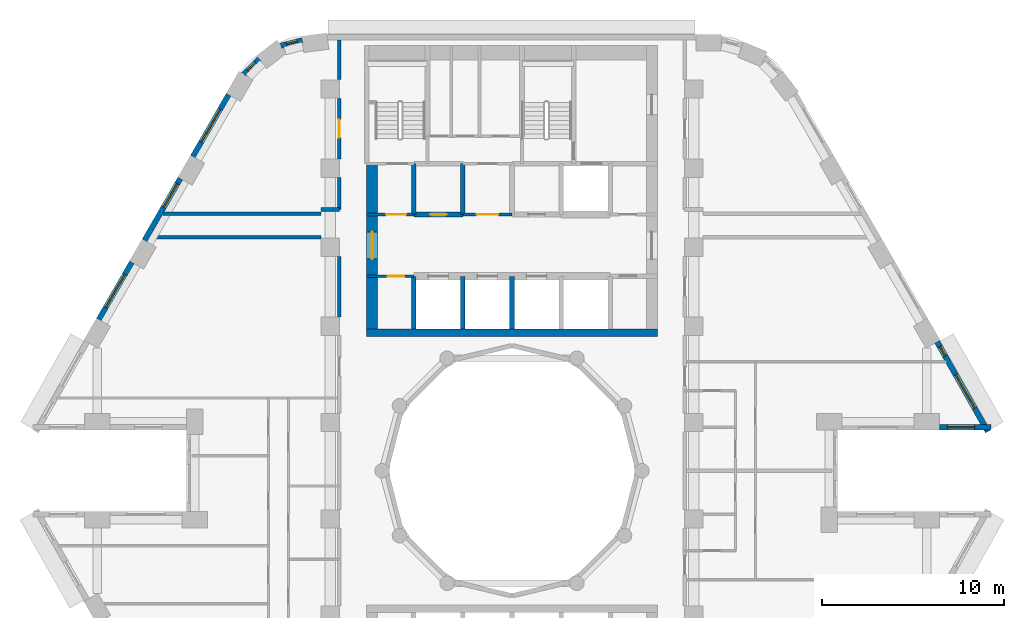
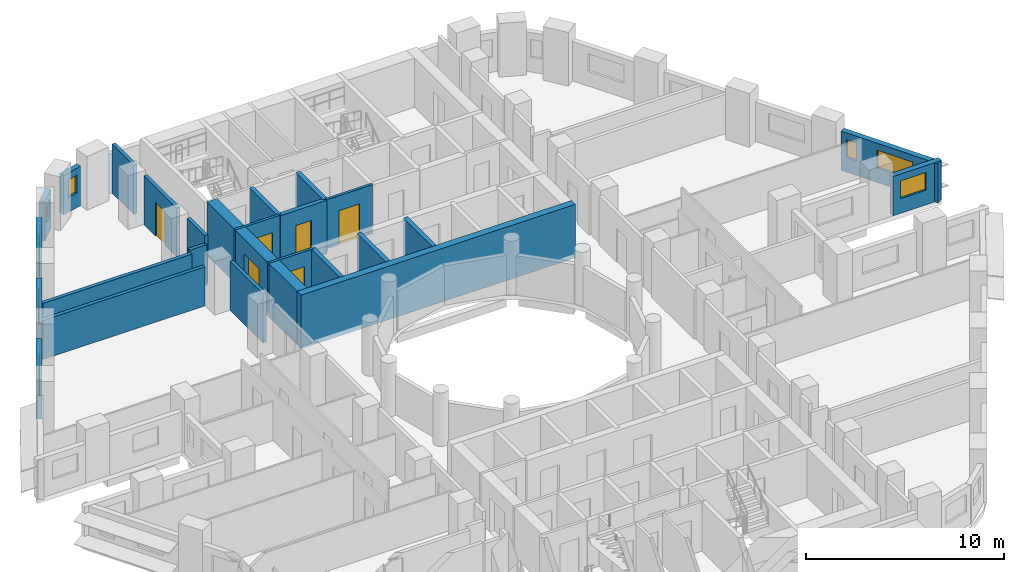
# One storey, part 7 of 12: 25 walls, 8 windows, 6 doors, 14 openings.
"""IFC4 building model written with IfcOpenShell, lengths in metres."""

import ifcopenshell
import ifcopenshell.guid

model = None  # the IFC model being written
_history = None  # IfcOwnerHistory: only IFC2X3 demands one
_inside = {}  # id of a spatial element -> (the spatial element, [elements in it])
_under = {}  # id of a project, library or spatial element -> (it, [spatial elements below it])
_declared = {}  # id of a project -> (the project, [libraries it declares])
_typed = {}  # id of a type object -> (the type object, [elements of that type])
_made_of = {}  # id of a material, layer set ... -> (it, [elements and type objects made of it])


def new_model(schema):
    """Start an empty IFC model of exactly this schema.

    Asked for "IFC4X3", IfcOpenShell would pick the latest addendum, in which some entities
    have other attributes; the version numbers below select the first issue.
    IFC2X3 requires an IfcOwnerHistory on every rooted entity: one is made here for all.
    """
    global model, _history
    if schema == "IFC4X3":
        model = ifcopenshell.file(schema_version=(4, 3, 0, 0))
    else:
        model = ifcopenshell.file(schema=schema)
    _inside.clear()
    _under.clear()
    _declared.clear()
    _typed.clear()
    _made_of.clear()
    _history = None
    if model.schema == "IFC2X3":
        org = make("IfcOrganization", Name="unknown")
        user = make(
            "IfcPersonAndOrganization",
            ThePerson=make("IfcPerson", FamilyName="unknown"),
            TheOrganization=org,
        )
        app = make(
            "IfcApplication",
            ApplicationDeveloper=org,
            Version="unknown",
            ApplicationFullName="unknown",
            ApplicationIdentifier="unknown",
        )
        _history = make(
            "IfcOwnerHistory",
            OwningUser=user,
            OwningApplication=app,
            ChangeAction="ADDED",
            CreationDate=0,
        )
    return model


def make(cls, **values):
    """One entity of the class cls with the attributes given. An attribute that is None is left unset."""
    return model.create_entity(
        cls, **{name: value for name, value in values.items() if value is not None}
    )


def rooted(cls, **values):
    """An entity with a GlobalId (a new one), such as an element, a storey or a relation."""
    return make(cls, GlobalId=ifcopenshell.guid.new(), OwnerHistory=_history, **values)


def si_unit(unit_type, name, prefix=None):
    """IfcSIUnit, for example si_unit("LENGTHUNIT", "METRE", prefix="MILLI")."""
    return make("IfcSIUnit", UnitType=unit_type, Prefix=prefix, Name=name)


def assignment(units):
    """IfcUnitAssignment: the units of a project."""
    return None if units is None else make("IfcUnitAssignment", Units=units)


def point(xyz):
    """IfcCartesianPoint."""
    return None if xyz is None else make("IfcCartesianPoint", Coordinates=xyz)


def direction(xyz):
    """IfcDirection."""
    return None if xyz is None else make("IfcDirection", DirectionRatios=xyz)


def frame(location, z_axis=None, x_axis=None):
    """IfcAxis2Placement3D, a coordinate frame: its origin and axes. An axis left out is left unset."""
    return make(
        "IfcAxis2Placement3D",
        Location=point(location),
        Axis=direction(z_axis),
        RefDirection=direction(x_axis),
    )


def frame_2d(location, x_axis=None):
    """IfcAxis2Placement2D, a coordinate frame in the plane: its origin and x axis."""
    return make(
        "IfcAxis2Placement2D", Location=point(location), RefDirection=direction(x_axis)
    )


def origin():
    """The frame at (0, 0, 0) with its axes left unset."""
    return frame((0.0, 0.0, 0.0))


def place(relative_to, where):
    """IfcLocalPlacement: puts the frame where relative to a parent placement (None: the world)."""
    return make(
        "IfcLocalPlacement", PlacementRelTo=relative_to, RelativePlacement=where
    )


def context(
    kind, dimensions, precision=None, world=None, true_north=None, identifier=None
):
    """IfcGeometricRepresentationContext, for example the 3D "Model" context."""
    return make(
        "IfcGeometricRepresentationContext",
        ContextIdentifier=identifier,
        ContextType=kind,
        CoordinateSpaceDimension=dimensions,
        Precision=precision,
        WorldCoordinateSystem=world,
        TrueNorth=true_north,
    )


def subcontext(parent, identifier, kind, view, scale=None):
    """IfcGeometricRepresentationSubContext, for example "Body" below "Model"."""
    return make(
        "IfcGeometricRepresentationSubContext",
        ContextIdentifier=identifier,
        ContextType=kind,
        ParentContext=parent,
        TargetScale=scale,
        TargetView=view,
    )


def project(units=None, contexts=None):
    """IfcProject with its units and contexts."""
    return rooted(
        "IfcProject",
        Name="project",
        RepresentationContexts=contexts,
        UnitsInContext=assignment(units),
    )


def spatial(cls, under=None, at=None, **own):
    """A site, building, storey or space (cls), placed at a placement, below another one or the project."""
    s = rooted(cls, ObjectPlacement=at, **own)
    if under is not None:
        _under.setdefault(under.id(), (under, []))[1].append(s)
    return s


def profile(cls, at=None, kind="AREA", **sizes):
    """A parametric profile (cls). Its sizes go by their IFC names, for example OverallWidth=200.0."""
    return make(cls, ProfileType=kind, Position=at, **sizes)


def rectangle(**sizes):
    """IfcRectangleProfileDef."""
    return profile("IfcRectangleProfileDef", **sizes)


def extrude(swept, where, along, depth):
    """IfcExtrudedAreaSolid: the profile swept, set in the frame where, extruded along a direction by depth."""
    return make(
        "IfcExtrudedAreaSolid",
        SweptArea=swept,
        Position=where,
        ExtrudedDirection=direction(along),
        Depth=depth,
    )


def shape(context_of_items, identifier, shape_type, items):
    """IfcShapeRepresentation: the items that make up one representation, for example the "Body"."""
    return make(
        "IfcShapeRepresentation",
        ContextOfItems=context_of_items,
        RepresentationIdentifier=identifier,
        RepresentationType=shape_type,
        Items=items,
    )


def material(Name=None, Category=None):
    """IfcMaterial."""
    return make("IfcMaterial", Name=Name, Category=Category)


def layer(
    of_material, thickness, ventilated=None, Name=None, Category=None, Priority=None
):
    """IfcMaterialLayer: one layer of a wall or slab, of a material (None: an air gap)."""
    return make(
        "IfcMaterialLayer",
        Material=of_material,
        LayerThickness=thickness,
        IsVentilated=ventilated,
        Name=Name,
        Category=Category,
        Priority=Priority,
    )


def layer_set(layers, Name=None):
    """IfcMaterialLayerSet."""
    return make("IfcMaterialLayerSet", MaterialLayers=layers, LayerSetName=Name)


def made_of(thing, what):
    """Note that an element or type object is made of a material, layer set ...; save() writes the relation."""
    if what is not None:
        _made_of.setdefault(what.id(), (what, []))[1].append(thing)
    return thing


def type_object(cls, material=None, **own):
    """A type object (cls), such as IfcWallType, which elements share."""
    return made_of(rooted(cls, **own), material)


def element(
    cls,
    number,
    at=None,
    inside=None,
    cuts=None,
    type_object=None,
    material=None,
    context=None,
    identifier="Body",
    shape_type=None,
    held_by="IfcProductDefinitionShape",
    body=None,
    shapes=None,
    **own,
):
    """One element of the class cls, such as IfcWall. Its Tag is "e" and its number.

    at: its placement. inside: the storey or other place that contains it. cuts: it is an
    opening in that element (IfcRelVoidsElement). A single representation is given by context,
    identifier, shape_type and body (its items); several are given by shapes. held_by: the class
    of the entity that holds the representations. save() writes the other relations.
    """
    e = rooted(cls, Tag="e%d" % number, ObjectPlacement=at, **own)
    if body is not None:
        shapes = [shape(context, identifier, shape_type, body)]
    if shapes is not None:
        e.Representation = make(held_by, Representations=shapes)
    if inside is not None:
        _inside.setdefault(inside.id(), (inside, []))[1].append(e)
    if cuts is not None:
        rooted(
            "IfcRelVoidsElement", RelatingBuildingElement=cuts, RelatedOpeningElement=e
        )
    if type_object is not None:
        _typed.setdefault(type_object.id(), (type_object, []))[1].append(e)
    return made_of(e, material)


def fill(opening, filler):
    """IfcRelFillsElement: the door or window that sits in an opening."""
    return rooted(
        "IfcRelFillsElement",
        RelatingOpeningElement=opening,
        RelatedBuildingElement=filler,
    )


def aggregate(whole, parts):
    """IfcRelAggregates: a whole, such as a stair, and the parts it consists of."""
    return rooted("IfcRelAggregates", RelatingObject=whole, RelatedObjects=parts)


def save(model, path):
    """Write the relations noted so far, then the file.

    IfcRelAggregates (storeys below a building ...), IfcRelContainedInSpatialStructure (elements
    in a storey), IfcRelDefinesByType, IfcRelAssociatesMaterial and IfcRelDeclares: one each for
    every whole, place, type object, material and project.
    """
    for whole, parts in _under.values():
        aggregate(whole, parts)
    for where, things in _inside.values():
        rooted(
            "IfcRelContainedInSpatialStructure",
            RelatedElements=things,
            RelatingStructure=where,
        )
    for kind, things in _typed.values():
        rooted("IfcRelDefinesByType", RelatedObjects=things, RelatingType=kind)
    for what, things in _made_of.values():
        rooted("IfcRelAssociatesMaterial", RelatedObjects=things, RelatingMaterial=what)
    for by, libraries in _declared.values():
        rooted("IfcRelDeclares", RelatingContext=by, RelatedDefinitions=libraries)
    model.write(path)


model = new_model("IFC4")

# Units and contexts
model_context = context("Model", 3, precision=1e-05, world=origin(), true_north=direction((0.0, 1.0)))
body_context = subcontext(model_context, "Body", "Model", "MODEL_VIEW")
ifc_project = project(units=[si_unit("LENGTHUNIT", "METRE"), si_unit("AREAUNIT", "SQUARE_METRE"), si_unit("VOLUMEUNIT", "CUBIC_METRE"), si_unit("PLANEANGLEUNIT", "RADIAN"), si_unit("MASSUNIT", "GRAM", prefix="KILO")], contexts=[model_context])

# Site, building, storey
site_placement = place(None, origin())
site = spatial("IfcSite", under=ifc_project, at=site_placement, CompositionType="ELEMENT")
building_placement = place(site_placement, origin())
building = spatial("IfcBuilding", under=site, at=building_placement, Name="Nakaniwa Court", CompositionType="ELEMENT")
storey_placement = place(building_placement, frame((0.0, 0.0, 94.199951171875)))
storey = spatial("IfcBuildingStorey", under=building, at=storey_placement, Name="L24", CompositionType="ELEMENT", Elevation=94.199951171875)

# Walls
ifc_material_1 = material(Name="Acoustic double stud partition")
ifc_layer_1 = layer(ifc_material_1, 0.199951171875)
ifc_layer_set_1 = layer_set([ifc_layer_1], Name="Acoustic double stud partition")
wall_type_1 = type_object("IfcWallType", Name="Acoustic double stud partition 200", PredefinedType="PARTITIONING", material=ifc_layer_set_1)
wall_1_placement = place(storey_placement, frame((60.052490234375, 92.85009765625, 0.0), z_axis=(0.0, 0.0, 1.0), x_axis=(1.0, 0.0, 0.0)))
element("IfcWall", 1, at=wall_1_placement, inside=storey, type_object=wall_type_1, Name="Partition PW-081", PredefinedType="PARTITIONING", context=body_context, shape_type="SweptSolid", body=[
    extrude(rectangle(XDim=9.447509765625, YDim=0.199951171875, at=frame_2d((4.7236328125, 0.0))), origin(), (0.0, 0.0, 1.0), 2.405029296875),
])
wall_2_placement = place(storey_placement, frame((69.5, 94.375, 0.0), z_axis=(0.0, 0.0, 1.0), x_axis=(1.0, 0.0, 0.0)))
element("IfcWall", 2, at=wall_2_placement, inside=storey, type_object=wall_type_1, Name="Partition PW-083", PredefinedType="PARTITIONING", context=body_context, shape_type="SweptSolid", body=[
    extrude(rectangle(XDim=1.0, YDim=0.199951171875, at=frame_2d((0.5, 0.0))), origin(), (0.0, 0.0, 1.0), 2.505126953125),
])
wall_3_placement = place(storey_placement, frame((60.802978515625, 94.14990234375, 0.0), z_axis=(0.0, 0.0, 1.0), x_axis=(1.0, 0.0, 0.0)))
element("IfcWall", 3, at=wall_3_placement, inside=storey, type_object=wall_type_1, Name="Partition PW-085", PredefinedType="PARTITIONING", context=body_context, shape_type="SweptSolid", body=[
    extrude(rectangle(XDim=8.697021484375, YDim=0.199951171875, at=frame_2d((4.3486328125, 0.0))), origin(), (0.0, 0.0, 1.0), 2.405029296875),
])
wall_4_placement = place(storey_placement, frame((70.5, 88.467041015625, 0.0), z_axis=(0.0, 0.0, 1.0), x_axis=(0.0, 1.0, 0.0)))
element("IfcWall", 4, at=wall_4_placement, inside=storey, type_object=wall_type_1, Name="Partition PW-103", PredefinedType="PARTITIONING", context=body_context, shape_type="SweptSolid", body=[
    extrude(rectangle(XDim=3.31591796875, YDim=0.199951171875, at=frame_2d((1.657958984375, 0.0))), origin(), (0.0, 0.0, 1.0), 3.025146484375),
])
wall_5_placement = place(storey_placement, frame((70.5, 94.3720703125, 0.0), z_axis=(0.0, 0.0, 1.0), x_axis=(0.0, 1.0, 0.0)))
element("IfcWall", 5, at=wall_5_placement, inside=storey, type_object=wall_type_1, Name="Partition PW-104", PredefinedType="PARTITIONING", context=body_context, shape_type="SweptSolid", body=[
    extrude(rectangle(XDim=1.760986328125, YDim=0.199951171875, at=frame_2d((0.88037109375, 0.0))), origin(), (0.0, 0.0, 1.0), 3.025146484375),
])

# Wall, opening, door
wall_6_placement = place(storey_placement, frame((70.5, 97.1669921875, 0.0), z_axis=(0.0, 0.0, 1.0), x_axis=(0.0, 1.0, 0.0)))
wall_6 = element("IfcWall", 6, at=wall_6_placement, inside=storey, type_object=wall_type_1, Name="Partition PW-105", PredefinedType="PARTITIONING", context=body_context, shape_type="SweptSolid", body=[
    extrude(rectangle(XDim=3.31591796875, YDim=0.199951171875, at=frame_2d((1.657958984375, 0.0))), origin(), (0.0, 0.0, 1.0), 3.025146484375),
])
opening_1_placement = place(wall_6_placement, frame((1.157958984375, 0.0, 0.0)))
opening_1 = element("IfcOpeningElement", 7, at=opening_1_placement, cuts=wall_6, Name="Opening D-02-06", PredefinedType="OPENING", context=body_context, shape_type="SweptSolid", body=[
    extrude(rectangle(XDim=1.0, YDim=2.10009765625, at=frame_2d((0.5, 1.050048828125))), frame((0.0, 0.10986328125, 0.0), z_axis=(0.0, -1.0, 0.0), x_axis=(1.0, 0.0, 0.0)), (0.0, 0.0, 1.0), 0.219970703125),
])
ifc_material_2 = material(Name="Solid core timber door set, black veneer", Category="wood")
door_type_1 = type_object("IfcDoorType", Name="Internal door 1000", OperationType="NOTDEFINED", PredefinedType="DOOR", material=ifc_material_2)
door_1_placement = place(opening_1_placement, origin())
door_1 = element("IfcDoor", 8, at=door_1_placement, inside=storey, type_object=door_type_1, Name="Door D-02-06 L24-048", OperationType="SINGLE_SWING_LEFT", OverallHeight=2.10009765625, OverallWidth=1.0, PredefinedType="DOOR", context=body_context, shape_type="SweptSolid", body=[
    extrude(rectangle(XDim=1.0, YDim=2.10009765625, at=frame_2d((0.5, 1.050048828125))), frame((0.0, 0.02490234375, 0.0), z_axis=(0.0, -1.0, 0.0), x_axis=(1.0, 0.0, 0.0)), (0.0, 0.0, 1.0), 0.050048828125),
])
fill(opening_1, door_1)

# Wall
wall_7_placement = place(storey_placement, frame((70.5, 101.51708984375, 0.0), z_axis=(0.0, 0.0, 1.0), x_axis=(0.0, 1.0, 0.0)))
element("IfcWall", 9, at=wall_7_placement, inside=storey, type_object=wall_type_1, Name="Partition PW-106", PredefinedType="PARTITIONING", context=body_context, shape_type="SweptSolid", body=[
    extrude(rectangle(XDim=2.182861328125, YDim=0.199951171875, at=frame_2d((1.09130859375, 0.0))), origin(), (0.0, 0.0, 1.0), 3.025146484375),
])

# Wall, opening, window
ifc_material_3 = material(Name="Charcoal ceramic cladding")
ifc_layer_2 = layer(ifc_material_3, 0.02, Name="Ceramic cladding")
ifc_material_4 = material(Name="Ventilated air cavity")
ifc_layer_3 = layer(ifc_material_4, 0.04, ventilated=True, Name="Ventilated cavity")
ifc_material_5 = material(Name="Mineral wool insulation")
ifc_layer_4 = layer(ifc_material_5, 0.1, Name="Insulation")
ifc_material_6 = material(Name="Cement bonded sheathing board")
ifc_layer_5 = layer(ifc_material_6, 0.012, Name="Sheathing")
ifc_material_7 = material(Name="Cold-formed galvanised stud frame with mineral wool infill")
ifc_layer_6 = layer(ifc_material_7, 0.1, Name="Stud frame")
ifc_material_8 = material(Name="Fire-rated gypsum plasterboard lining")
ifc_layer_7 = layer(ifc_material_8, 0.028, Name="Lining")
ifc_layer_set_2 = layer_set([ifc_layer_2, ifc_layer_3, ifc_layer_4, ifc_layer_5, ifc_layer_6, ifc_layer_7], Name="Charcoal ceramic faced external wall system")
wall_type_2 = type_object("IfcWallType", Name="Black ceramic faced external wall 300", PredefinedType="SOLIDWALL", material=ifc_layer_set_2)
wall_8_placement = place(storey_placement, frame((103.518798828125, 82.39990234375, 0.0), z_axis=(0.0, 0.0, 1.0), x_axis=(1.0, 0.0, 0.0)))
wall_8 = element("IfcWall", 10, at=wall_8_placement, inside=storey, type_object=wall_type_2, Name="L24 external wall 01", PredefinedType="SOLIDWALL", context=body_context, shape_type="SweptSolid", body=[
    extrude(rectangle(XDim=2.837890625, YDim=0.300048828125, at=frame_2d((1.4189453125, 0.0))), origin(), (0.0, 0.0, 1.0), 2.425048828125),
])
opening_2_placement = place(wall_8_placement, frame((0.44384765625, 0.0, 0.89990234375)))
opening_2 = element("IfcOpeningElement", 11, at=opening_2_placement, cuts=wall_8, Name="Opening W5.02", PredefinedType="OPENING", context=body_context, shape_type="SweptSolid", body=[
    extrude(rectangle(XDim=1.5, YDim=1.10009765625, at=frame_2d((0.75, 0.550048828125))), frame((0.0, 0.159912109375, 0.0), z_axis=(0.0, -1.0, 0.0), x_axis=(1.0, 0.0, 0.0)), (0.0, 0.0, 1.0), 0.320068359375),
])
ifc_material_9 = material(Name="Black anodised aluminium frame with dark low-E laminated double glazing", Category="aluminium")
window_type_1 = type_object("IfcWindowType", Name="Dark glass window 1500x1100 sill 900", PartitioningType="SINGLE_PANEL", PredefinedType="WINDOW", material=ifc_material_9)
window_1_placement = place(opening_2_placement, origin())
window_1 = element("IfcWindow", 12, at=window_1_placement, inside=storey, type_object=window_type_1, Name="L24 living window 01-0", OverallHeight=1.10009765625, OverallWidth=1.5, PartitioningType="SINGLE_PANEL", PredefinedType="WINDOW", context=body_context, shape_type="SweptSolid", body=[
    extrude(rectangle(XDim=1.5, YDim=1.10009765625, at=frame_2d((0.75, 0.550048828125))), frame((0.0, 0.030029296875, 0.0), z_axis=(0.0, -1.0, 0.0), x_axis=(1.0, 0.0, 0.0)), (0.0, 0.0, 1.0), 0.06005859375),
])
fill(opening_2, window_1)

# Wall, openings, windows
wall_9_placement = place(storey_placement, frame((106.18603515625, 82.1533203125, 0.0), z_axis=(0.0, 0.0, 1.0), x_axis=(-0.492456858874, 0.870336855561, 0.0)))
wall_9 = element("IfcWall", 13, at=wall_9_placement, inside=storey, type_object=wall_type_2, Name="L24 external wall 02", PredefinedType="SOLIDWALL", context=body_context, shape_type="SweptSolid", body=[
    extrude(rectangle(XDim=5.676513671875, YDim=0.300048828125, at=frame_2d((2.83837890625, 0.0))), origin(), (0.0, 0.0, 1.0), 2.425048828125),
])
opening_3_placement = place(wall_9_placement, frame((1.48388671875, 0.0, 0.89990234375)))
opening_3 = element("IfcOpeningElement", 14, at=opening_3_placement, cuts=wall_9, Name="Opening W7.03", PredefinedType="OPENING", context=body_context, shape_type="SweptSolid", body=[
    extrude(rectangle(XDim=2.10009765625, YDim=1.10009765625, at=frame_2d((1.050048828125, 0.550048828125))), frame((0.0, 0.159912109375, 0.0), z_axis=(0.0, -1.0, 0.0), x_axis=(1.0, 0.0, 0.0)), (0.0, 0.0, 1.0), 0.320068359375),
])
opening_4_placement = place(wall_9_placement, frame((4.77099609375, 0.0, 0.89990234375)))
opening_4 = element("IfcOpeningElement", 15, at=opening_4_placement, cuts=wall_9, Name="Opening W8.04", PredefinedType="OPENING", context=body_context, shape_type="SweptSolid", body=[
    extrude(rectangle(XDim=0.60009765625, YDim=1.10009765625, at=frame_2d((0.300048828125, 0.550048828125))), frame((0.0, 0.159912109375, 0.0), z_axis=(0.0, -1.0, 0.0), x_axis=(1.0, 0.0, 0.0)), (0.0, 0.0, 1.0), 0.320068359375),
])
window_type_2 = type_object("IfcWindowType", Name="Dark glass window 2100x1100 sill 900", PartitioningType="SINGLE_PANEL", PredefinedType="WINDOW", material=ifc_material_9)
window_2_placement = place(opening_3_placement, origin())
window_2 = element("IfcWindow", 16, at=window_2_placement, inside=storey, type_object=window_type_2, Name="L24 living window 02-0", OverallHeight=1.10009765625, OverallWidth=2.10009765625, PartitioningType="SINGLE_PANEL", PredefinedType="WINDOW", context=body_context, shape_type="SweptSolid", body=[
    extrude(rectangle(XDim=2.10009765625, YDim=1.10009765625, at=frame_2d((1.050048828125, 0.550048828125))), frame((0.0, 0.030029296875, 0.0), z_axis=(0.0, -1.0, 0.0), x_axis=(1.0, 0.0, 0.0)), (0.0, 0.0, 1.0), 0.06005859375),
])
fill(opening_3, window_2)
window_type_3 = type_object("IfcWindowType", Name="Dark glass window 600x1100 sill 900", PartitioningType="SINGLE_PANEL", PredefinedType="WINDOW", material=ifc_material_9)
window_3_placement = place(opening_4_placement, origin())
window_3 = element("IfcWindow", 17, at=window_3_placement, inside=storey, type_object=window_type_3, Name="L24 habitable room window 02-1", OverallHeight=1.10009765625, OverallWidth=0.60009765625, PartitioningType="SINGLE_PANEL", PredefinedType="WINDOW", context=body_context, shape_type="SweptSolid", body=[
    extrude(rectangle(XDim=0.60009765625, YDim=1.10009765625, at=frame_2d((0.300048828125, 0.550048828125))), frame((0.0, 0.030029296875, 0.0), z_axis=(0.0, -1.0, 0.0), x_axis=(1.0, 0.0, 0.0)), (0.0, 0.0, 1.0), 0.06005859375),
])
fill(opening_4, window_3)

# Wall, opening, window
wall_10_placement = place(storey_placement, frame((68.455810546875, 103.68310546875, 0.0), z_axis=(0.0, 0.0, 1.0), x_axis=(-0.969485113966, -0.245150186208, 0.0)))
wall_10 = element("IfcWall", 18, at=wall_10_placement, inside=storey, type_object=wall_type_2, Name="L24 external wall 09", PredefinedType="SOLIDWALL", context=body_context, shape_type="SweptSolid", body=[
    extrude(rectangle(XDim=1.2080078125, YDim=0.300048828125, at=frame_2d((0.60400390625, 0.0))), origin(), (0.0, 0.0, 1.0), 2.425048828125),
])
opening_5_placement = place(wall_10_placement, frame((0.279541015625, 0.0, 0.89990234375)))
opening_5 = element("IfcOpeningElement", 19, at=opening_5_placement, cuts=wall_10, Name="Opening W8.10", PredefinedType="OPENING", context=body_context, shape_type="SweptSolid", body=[
    extrude(rectangle(XDim=0.60009765625, YDim=1.10009765625, at=frame_2d((0.300048828125, 0.550048828125))), frame((0.0, 0.159912109375, 0.0), z_axis=(0.0, -1.0, 0.0), x_axis=(1.0, 0.0, 0.0)), (0.0, 0.0, 1.0), 0.320068359375),
])
window_4_placement = place(opening_5_placement, origin())
window_4 = element("IfcWindow", 20, at=window_4_placement, inside=storey, type_object=window_type_3, Name="L24 habitable room window 09-0", OverallHeight=1.10009765625, OverallWidth=0.60009765625, PartitioningType="SINGLE_PANEL", PredefinedType="WINDOW", context=body_context, shape_type="SweptSolid", body=[
    extrude(rectangle(XDim=0.60009765625, YDim=1.10009765625, at=frame_2d((0.300048828125, 0.550048828125))), frame((0.0, 0.030029296875, 0.0), z_axis=(0.0, -1.0, 0.0), x_axis=(1.0, 0.0, 0.0)), (0.0, 0.0, 1.0), 0.06005859375),
])
fill(opening_5, window_4)

wall_11_placement = place(storey_placement, frame((66.085205078125, 102.66259765625, 0.0), z_axis=(0.0, 0.0, 1.0), x_axis=(-0.708951665509, -0.705257070842, 0.0)))
wall_11 = element("IfcWall", 21, at=wall_11_placement, inside=storey, type_object=wall_type_2, Name="L24 external wall 10", PredefinedType="SOLIDWALL", context=body_context, shape_type="SweptSolid", body=[
    extrude(rectangle(XDim=1.189453125, YDim=0.300048828125, at=frame_2d((0.5947265625, 0.0))), origin(), (0.0, 0.0, 1.0), 2.425048828125),
])
opening_6_placement = place(wall_11_placement, frame((0.284423828125, 0.0, 0.89990234375)))
opening_6 = element("IfcOpeningElement", 22, at=opening_6_placement, cuts=wall_11, Name="Opening W8.11", PredefinedType="OPENING", context=body_context, shape_type="SweptSolid", body=[
    extrude(rectangle(XDim=0.60009765625, YDim=1.10009765625, at=frame_2d((0.300048828125, 0.550048828125))), frame((0.0, 0.159912109375, 0.0), z_axis=(0.0, -1.0, 0.0), x_axis=(1.0, 0.0, 0.0)), (0.0, 0.0, 1.0), 0.320068359375),
])
window_5_placement = place(opening_6_placement, origin())
window_5 = element("IfcWindow", 23, at=window_5_placement, inside=storey, type_object=window_type_3, Name="L24 habitable room window 10-0", OverallHeight=1.10009765625, OverallWidth=0.60009765625, PartitioningType="SINGLE_PANEL", PredefinedType="WINDOW", context=body_context, shape_type="SweptSolid", body=[
    extrude(rectangle(XDim=0.60009765625, YDim=1.10009765625, at=frame_2d((0.300048828125, 0.550048828125))), frame((0.0, 0.030029296875, 0.0), z_axis=(0.0, -1.0, 0.0), x_axis=(1.0, 0.0, 0.0)), (0.0, 0.0, 1.0), 0.06005859375),
])
fill(opening_6, window_5)

wall_12_placement = place(storey_placement, frame((64.40966796875, 100.69677734375, 0.0), z_axis=(0.0, 0.0, 1.0), x_axis=(-0.500003583557, -0.866023334807, 0.0)))
wall_12 = element("IfcWall", 24, at=wall_12_placement, inside=storey, type_object=wall_type_2, Name="L24 external wall 11", PredefinedType="SOLIDWALL", context=body_context, shape_type="SweptSolid", body=[
    extrude(rectangle(XDim=3.93408203125, YDim=0.300048828125, at=frame_2d((1.967041015625, 0.0))), origin(), (0.0, 0.0, 1.0), 2.425048828125),
])
opening_7_placement = place(wall_12_placement, frame((0.9169921875, 0.0, 0.89990234375)))
opening_7 = element("IfcOpeningElement", 25, at=opening_7_placement, cuts=wall_12, Name="Opening W7.12", PredefinedType="OPENING", context=body_context, shape_type="SweptSolid", body=[
    extrude(rectangle(XDim=2.10009765625, YDim=1.10009765625, at=frame_2d((1.050048828125, 0.550048828125))), frame((0.0, 0.159912109375, 0.0), z_axis=(0.0, -1.0, 0.0), x_axis=(1.0, 0.0, 0.0)), (0.0, 0.0, 1.0), 0.320068359375),
])
window_6_placement = place(opening_7_placement, origin())
window_6 = element("IfcWindow", 26, at=window_6_placement, inside=storey, type_object=window_type_2, Name="L24 habitable room window 11-0", OverallHeight=1.10009765625, OverallWidth=2.10009765625, PartitioningType="SINGLE_PANEL", PredefinedType="WINDOW", context=body_context, shape_type="SweptSolid", body=[
    extrude(rectangle(XDim=2.10009765625, YDim=1.10009765625, at=frame_2d((1.050048828125, 0.550048828125))), frame((0.0, 0.030029296875, 0.0), z_axis=(0.0, -1.0, 0.0), x_axis=(1.0, 0.0, 0.0)), (0.0, 0.0, 1.0), 0.06005859375),
])
fill(opening_7, window_6)

wall_13_placement = place(storey_placement, frame((61.74658203125, 96.08447265625, 0.0), z_axis=(0.0, 0.0, 1.0), x_axis=(-0.499957037901, -0.866050206543, 0.0)))
wall_13 = element("IfcWall", 27, at=wall_13_placement, inside=storey, type_object=wall_type_2, Name="L24 external wall 12", PredefinedType="SOLIDWALL", context=body_context, shape_type="SweptSolid", body=[
    extrude(rectangle(XDim=3.933837890625, YDim=0.300048828125, at=frame_2d((1.966796875, 0.0))), origin(), (0.0, 0.0, 1.0), 2.425048828125),
])
opening_8_placement = place(wall_13_placement, frame((0.32958984375, 0.0, 0.89990234375)))
opening_8 = element("IfcOpeningElement", 28, at=opening_8_placement, cuts=wall_13, Name="Opening W5.13", PredefinedType="OPENING", context=body_context, shape_type="SweptSolid", body=[
    extrude(rectangle(XDim=1.5, YDim=1.10009765625, at=frame_2d((0.75, 0.550048828125))), frame((0.0, 0.159912109375, 0.0), z_axis=(0.0, -1.0, 0.0), x_axis=(1.0, 0.0, 0.0)), (0.0, 0.0, 1.0), 0.320068359375),
])
window_7_placement = place(opening_8_placement, origin())
window_7 = element("IfcWindow", 29, at=window_7_placement, inside=storey, type_object=window_type_1, Name="L24 habitable room window 12-0", OverallHeight=1.10009765625, OverallWidth=1.5, PartitioningType="SINGLE_PANEL", PredefinedType="WINDOW", context=body_context, shape_type="SweptSolid", body=[
    extrude(rectangle(XDim=1.5, YDim=1.10009765625, at=frame_2d((0.75, 0.550048828125))), frame((0.0, 0.030029296875, 0.0), z_axis=(0.0, -1.0, 0.0), x_axis=(1.0, 0.0, 0.0)), (0.0, 0.0, 1.0), 0.06005859375),
])
fill(opening_8, window_7)

wall_14_placement = place(storey_placement, frame((59.083740234375, 91.471923828125, 0.0), z_axis=(0.0, 0.0, 1.0), x_axis=(-0.500009139881, -0.866020126807, 0.0)))
wall_14 = element("IfcWall", 30, at=wall_14_placement, inside=storey, type_object=wall_type_2, Name="L24 external wall 13", PredefinedType="SOLIDWALL", context=body_context, shape_type="SweptSolid", body=[
    extrude(rectangle(XDim=3.63671875, YDim=0.300048828125, at=frame_2d((1.818359375, 0.0))), origin(), (0.0, 0.0, 1.0), 2.425048828125),
])
opening_9_placement = place(wall_14_placement, frame((0.768310546875, 0.0, 0.89990234375)))
opening_9 = element("IfcOpeningElement", 31, at=opening_9_placement, cuts=wall_14, Name="Opening W7.14", PredefinedType="OPENING", context=body_context, shape_type="SweptSolid", body=[
    extrude(rectangle(XDim=2.10009765625, YDim=1.10009765625, at=frame_2d((1.050048828125, 0.550048828125))), frame((0.0, 0.159912109375, 0.0), z_axis=(0.0, -1.0, 0.0), x_axis=(1.0, 0.0, 0.0)), (0.0, 0.0, 1.0), 0.320068359375),
])
window_8_placement = place(opening_9_placement, origin())
window_8 = element("IfcWindow", 32, at=window_8_placement, inside=storey, type_object=window_type_2, Name="L24 habitable room window 13-0", OverallHeight=1.10009765625, OverallWidth=2.10009765625, PartitioningType="SINGLE_PANEL", PredefinedType="WINDOW", context=body_context, shape_type="SweptSolid", body=[
    extrude(rectangle(XDim=2.10009765625, YDim=1.10009765625, at=frame_2d((1.050048828125, 0.550048828125))), frame((0.0, 0.030029296875, 0.0), z_axis=(0.0, -1.0, 0.0), x_axis=(1.0, 0.0, 0.0)), (0.0, 0.0, 1.0), 0.06005859375),
])
fill(opening_9, window_8)

# Wall, opening, door
ifc_material_10 = material(Name="Blockwork partition", Category="masonry")
ifc_layer_8 = layer(ifc_material_10, 0.14990234375)
ifc_layer_set_3 = layer_set([ifc_layer_8], Name="Blockwork partition")
wall_type_3 = type_object("IfcWallType", Name="Blockwork partition 150", PredefinedType="PARTITIONING", material=ifc_layer_set_3)
wall_15_placement = place(storey_placement, frame((74.60009765625, 90.699951171875, 0.0), z_axis=(0.0, 0.0, 1.0), x_axis=(-1.0, 0.0, 0.0)))
wall_15 = element("IfcWall", 33, at=wall_15_placement, inside=storey, type_object=wall_type_3, Name="Partition PW-003", PredefinedType="PARTITIONING", context=body_context, shape_type="SweptSolid", body=[
    extrude(rectangle(XDim=2.60009765625, YDim=0.14990234375, at=frame_2d((1.300048828125, 0.0))), origin(), (0.0, 0.0, 1.0), 3.025146484375),
])
opening_10_placement = place(wall_15_placement, frame((0.52490234375, 0.0, 0.0)))
opening_10 = element("IfcOpeningElement", 34, at=opening_10_placement, cuts=wall_15, Name="Opening D-05-01", PredefinedType="OPENING", context=body_context, shape_type="SweptSolid", body=[
    extrude(rectangle(XDim=0.89990234375, YDim=2.10009765625, at=frame_2d((0.449951171875, 1.050048828125))), frame((0.0, 0.0849609375, 0.0), z_axis=(0.0, -1.0, 0.0), x_axis=(1.0, 0.0, 0.0)), (0.0, 0.0, 1.0), 0.169921875),
])
ifc_material_11 = material(Name="Fire rated steel door set", Category="steel")
door_type_2 = type_object("IfcDoorType", Name="Service room door 900", OperationType="NOTDEFINED", PredefinedType="DOOR", material=ifc_material_11)
door_2_placement = place(opening_10_placement, origin())
door_2 = element("IfcDoor", 35, at=door_2_placement, inside=storey, type_object=door_type_2, Name="Door D-05-01 L24-001", OperationType="SINGLE_SWING_RIGHT", OverallHeight=2.10009765625, OverallWidth=0.89990234375, PredefinedType="DOOR", context=body_context, shape_type="SweptSolid", body=[
    extrude(rectangle(XDim=0.89990234375, YDim=2.10009765625, at=frame_2d((0.449951171875, 1.050048828125))), frame((0.0, 0.02490234375, 0.0), z_axis=(0.0, -1.0, 0.0), x_axis=(1.0, 0.0, 0.0)), (0.0, 0.0, 1.0), 0.050048828125),
])
fill(opening_10, door_2)

wall_16_placement = place(storey_placement, frame((72.0, 94.10009765625, 0.0), z_axis=(0.0, 0.0, 1.0), x_axis=(1.0, 0.0, 0.0)))
wall_16 = element("IfcWall", 36, at=wall_16_placement, inside=storey, type_object=wall_type_3, Name="Partition PW-016", PredefinedType="PARTITIONING", context=body_context, shape_type="SweptSolid", body=[
    extrude(rectangle(XDim=2.60302734375, YDim=0.14990234375, at=frame_2d((1.301513671875, 0.0))), origin(), (0.0, 0.0, 1.0), 3.025146484375),
])
opening_11_placement = place(wall_16_placement, frame((1.074951171875, 0.0, 0.0)))
opening_11 = element("IfcOpeningElement", 37, at=opening_11_placement, cuts=wall_16, Name="Opening D-08-01", PredefinedType="OPENING", context=body_context, shape_type="SweptSolid", body=[
    extrude(rectangle(XDim=1.10009765625, YDim=2.10009765625, at=frame_2d((0.550048828125, 1.050048828125))), frame((0.0, 0.0849609375, 0.0), z_axis=(0.0, -1.0, 0.0), x_axis=(1.0, 0.0, 0.0)), (0.0, 0.0, 1.0), 0.169921875),
])
door_type_3 = type_object("IfcDoorType", Name="Stair lobby door 1100", OperationType="NOTDEFINED", PredefinedType="DOOR", material=ifc_material_11)
door_3_placement = place(opening_11_placement, origin())
door_3 = element("IfcDoor", 38, at=door_3_placement, inside=storey, type_object=door_type_3, Name="Door D-08-01 L24-003", OperationType="SINGLE_SWING_RIGHT", OverallHeight=2.10009765625, OverallWidth=1.10009765625, PredefinedType="DOOR", context=body_context, shape_type="SweptSolid", body=[
    extrude(rectangle(XDim=1.10009765625, YDim=2.10009765625, at=frame_2d((0.550048828125, 1.050048828125))), frame((0.0, 0.02490234375, 0.0), z_axis=(0.0, -1.0, 0.0), x_axis=(1.0, 0.0, 0.0)), (0.0, 0.0, 1.0), 0.050048828125),
])
fill(opening_11, door_3)

wall_17_placement = place(storey_placement, frame((77.297119140625, 94.10009765625, 0.0), z_axis=(0.0, 0.0, 1.0), x_axis=(1.0, 0.0, 0.0)))
wall_17 = element("IfcWall", 39, at=wall_17_placement, inside=storey, type_object=wall_type_3, Name="Partition PW-017", PredefinedType="PARTITIONING", context=body_context, shape_type="SweptSolid", body=[
    extrude(rectangle(XDim=2.705810546875, YDim=0.14990234375, at=frame_2d((1.35302734375, 0.0))), origin(), (0.0, 0.0, 1.0), 3.025146484375),
])
opening_12_placement = place(wall_17_placement, frame((0.7529296875, 0.0, 0.0)))
opening_12 = element("IfcOpeningElement", 40, at=opening_12_placement, cuts=wall_17, Name="Opening D-06-01", PredefinedType="OPENING", context=body_context, shape_type="SweptSolid", body=[
    extrude(rectangle(XDim=1.199951171875, YDim=2.10009765625, at=frame_2d((0.60009765625, 1.050048828125))), frame((0.0, 0.0849609375, 0.0), z_axis=(0.0, -1.0, 0.0), x_axis=(1.0, 0.0, 0.0)), (0.0, 0.0, 1.0), 0.169921875),
])
ifc_material_12 = material(Name="Fire rated steel double door set", Category="steel")
door_type_4 = type_object("IfcDoorType", Name="Service passage double door 1200", OperationType="NOTDEFINED", PredefinedType="DOOR", material=ifc_material_12)
door_4_placement = place(opening_12_placement, origin())
door_4 = element("IfcDoor", 41, at=door_4_placement, inside=storey, type_object=door_type_4, Name="Door D-06-01 L24-005", OperationType="DOUBLE_DOOR_SINGLE_SWING", OverallHeight=2.10009765625, OverallWidth=1.199951171875, PredefinedType="DOOR", context=body_context, shape_type="SweptSolid", body=[
    extrude(rectangle(XDim=1.199951171875, YDim=2.10009765625, at=frame_2d((0.60009765625, 1.050048828125))), frame((0.0, 0.02490234375, 0.0), z_axis=(0.0, -1.0, 0.0), x_axis=(1.0, 0.0, 0.0)), (0.0, 0.0, 1.0), 0.050048828125),
])
fill(opening_12, door_4)

ifc_material_13 = material(Name="Concrete C80/100", Category="concrete")
ifc_layer_9 = layer(ifc_material_13, 0.60009765625)
ifc_layer_set_4 = layer_set([ifc_layer_9], Name="Concrete C80/100")
wall_type_4 = type_object("IfcWallType", Name="Concrete core side wall 600 C80", PredefinedType="SHEAR", material=ifc_layer_set_4)
wall_18_placement = place(storey_placement, frame((72.300048828125, 87.800048828125, -0.27490234375), z_axis=(0.0, 0.0, 1.0), x_axis=(0.0, 1.0, 0.0)))
wall_18 = element("IfcWall", 42, at=wall_18_placement, inside=storey, type_object=wall_type_4, Name="Core wall SW-04", PredefinedType="SHEAR", context=body_context, shape_type="SweptSolid", body=[
    extrude(rectangle(XDim=9.099853515625, YDim=0.60009765625, at=frame_2d((4.5498046875, 0.0))), origin(), (0.0, 0.0, 1.0), 3.300048828125),
])
opening_13_placement = place(wall_18_placement, frame((3.85009765625, 0.0, 0.27490234375)))
opening_13 = element("IfcOpeningElement", 43, at=opening_13_placement, cuts=wall_18, Name="Opening D-07-02", PredefinedType="OPENING", context=body_context, shape_type="SweptSolid", body=[
    extrude(rectangle(XDim=1.5, YDim=2.10009765625, at=frame_2d((0.75, 1.050048828125))), frame((0.0, 0.31005859375, 0.0), z_axis=(0.0, -1.0, 0.0), x_axis=(1.0, 0.0, 0.0)), (0.0, 0.0, 1.0), 0.6201171875),
])
ifc_material_14 = material(Name="Glazed fire rated steel double door set", Category="steel")
door_type_5 = type_object("IfcDoorType", Name="Lobby double door 1500", OperationType="NOTDEFINED", PredefinedType="DOOR", material=ifc_material_14)
door_5_placement = place(opening_13_placement, origin())
door_5 = element("IfcDoor", 44, at=door_5_placement, inside=storey, type_object=door_type_5, Name="Door D-07-02 L24-052", OperationType="DOUBLE_DOOR_SINGLE_SWING", OverallHeight=2.10009765625, OverallWidth=1.5, PredefinedType="DOOR", context=body_context, shape_type="SweptSolid", body=[
    extrude(rectangle(XDim=1.5, YDim=2.10009765625, at=frame_2d((0.75, 1.050048828125))), frame((0.0, 0.02490234375, 0.0), z_axis=(0.0, -1.0, 0.0), x_axis=(1.0, 0.0, 0.0)), (0.0, 0.0, 1.0), 0.050048828125),
])
fill(opening_13, door_5)

# Walls
ifc_layer_10 = layer(ifc_material_13, 0.39990234375)
ifc_layer_set_5 = layer_set([ifc_layer_10], Name="Concrete C80/100")
wall_type_5 = type_object("IfcWallType", Name="Concrete core well wall 400 C80", PredefinedType="SHEAR", material=ifc_layer_set_5)
wall_19_placement = place(storey_placement, frame((72.00390625, 87.60009765625, -0.27490234375), z_axis=(0.0, 0.0, 1.0), x_axis=(1.0, 0.0, 0.0)))
element("IfcWall", 45, at=wall_19_placement, inside=storey, type_object=wall_type_5, Name="Core wall SW-126", PredefinedType="SHEAR", context=body_context, shape_type="SweptSolid", body=[
    extrude(rectangle(XDim=15.9921875, YDim=0.39990234375, at=frame_2d((7.99609375, 0.0))), origin(), (0.0, 0.0, 1.0), 3.300048828125),
])
ifc_layer_11 = layer(ifc_material_13, 0.25)
ifc_layer_set_6 = layer_set([ifc_layer_11], Name="Concrete C80/100")
wall_type_6 = type_object("IfcWallType", Name="Concrete shaft wall 250 C80", PredefinedType="SHEAR", material=ifc_layer_set_6)
wall_20_placement = place(storey_placement, frame((74.60009765625, 87.800048828125, -0.27490234375), z_axis=(0.0, 0.0, 1.0), x_axis=(0.0, 1.0, 0.0)))
element("IfcWall", 46, at=wall_20_placement, inside=storey, type_object=wall_type_6, Name="Core wall SW-01", PredefinedType="SHEAR", context=body_context, shape_type="SweptSolid", body=[
    extrude(rectangle(XDim=2.89990234375, YDim=0.25, at=frame_2d((1.449951171875, 0.0))), origin(), (0.0, 0.0, 1.0), 3.300048828125),
])
wall_21_placement = place(storey_placement, frame((74.60009765625, 94.10009765625, -0.27490234375), z_axis=(0.0, 0.0, 1.0), x_axis=(0.0, 1.0, 0.0)))
element("IfcWall", 47, at=wall_21_placement, inside=storey, type_object=wall_type_6, Name="Core wall SW-02", PredefinedType="SHEAR", context=body_context, shape_type="SweptSolid", body=[
    extrude(rectangle(XDim=2.7998046875, YDim=0.25, at=frame_2d((1.39990234375, 0.0))), origin(), (0.0, 0.0, 1.0), 3.300048828125),
])
wall_22_placement = place(storey_placement, frame((77.300048828125, 87.800048828125, -0.27490234375), z_axis=(0.0, 0.0, 1.0), x_axis=(0.0, 1.0, 0.0)))
element("IfcWall", 48, at=wall_22_placement, inside=storey, type_object=wall_type_6, Name="Core wall SW-05", PredefinedType="SHEAR", context=body_context, shape_type="SweptSolid", body=[
    extrude(rectangle(XDim=2.89990234375, YDim=0.25, at=frame_2d((1.449951171875, 0.0))), origin(), (0.0, 0.0, 1.0), 3.300048828125),
])
wall_23_placement = place(storey_placement, frame((77.300048828125, 94.10009765625, -0.27490234375), z_axis=(0.0, 0.0, 1.0), x_axis=(0.0, 1.0, 0.0)))
element("IfcWall", 49, at=wall_23_placement, inside=storey, type_object=wall_type_6, Name="Core wall SW-06", PredefinedType="SHEAR", context=body_context, shape_type="SweptSolid", body=[
    extrude(rectangle(XDim=2.7998046875, YDim=0.25, at=frame_2d((1.39990234375, 0.0))), origin(), (0.0, 0.0, 1.0), 3.300048828125),
])
wall_24_placement = place(storey_placement, frame((80.0, 87.800048828125, -0.27490234375), z_axis=(0.0, 0.0, 1.0), x_axis=(0.0, 1.0, 0.0)))
element("IfcWall", 50, at=wall_24_placement, inside=storey, type_object=wall_type_6, Name="Core wall SW-08", PredefinedType="SHEAR", context=body_context, shape_type="SweptSolid", body=[
    extrude(rectangle(XDim=2.89990234375, YDim=0.25, at=frame_2d((1.449951171875, 0.0))), origin(), (0.0, 0.0, 1.0), 3.300048828125),
])

# Wall, opening, door
wall_25_placement = place(storey_placement, frame((74.596923828125, 94.10009765625, -0.27490234375), z_axis=(0.0, 0.0, 1.0), x_axis=(1.0, 0.0, 0.0)))
wall_25 = element("IfcWall", 51, at=wall_25_placement, inside=storey, type_object=wall_type_6, Name="Core wall SW-19", PredefinedType="SHEAR", context=body_context, shape_type="SweptSolid", body=[
    extrude(rectangle(XDim=2.7060546875, YDim=0.25, at=frame_2d((1.35302734375, 0.0))), origin(), (0.0, 0.0, 1.0), 3.300048828125),
])
opening_14_placement = place(wall_25_placement, frame((0.903076171875, 0.0, 0.27490234375)))
opening_14 = element("IfcOpeningElement", 52, at=opening_14_placement, cuts=wall_25, Name="Opening D-05-03", PredefinedType="OPENING", context=body_context, shape_type="SweptSolid", body=[
    extrude(rectangle(XDim=0.89990234375, YDim=2.10009765625, at=frame_2d((0.449951171875, 1.050048828125))), frame((0.0, 0.135009765625, 0.0), z_axis=(0.0, -1.0, 0.0), x_axis=(1.0, 0.0, 0.0)), (0.0, 0.0, 1.0), 0.27001953125),
])
door_6_placement = place(opening_14_placement, origin())
door_6 = element("IfcDoor", 53, at=door_6_placement, inside=storey, type_object=door_type_2, Name="Door D-05-03 L24-004", OperationType="SINGLE_SWING_LEFT", OverallHeight=2.10009765625, OverallWidth=0.89990234375, PredefinedType="DOOR", context=body_context, shape_type="SweptSolid", body=[
    extrude(rectangle(XDim=0.89990234375, YDim=2.10009765625, at=frame_2d((0.449951171875, 1.050048828125))), frame((0.0, 0.02490234375, 0.0), z_axis=(0.0, -1.0, 0.0), x_axis=(1.0, 0.0, 0.0)), (0.0, 0.0, 1.0), 0.050048828125),
])
fill(opening_14, door_6)

save(model, "model.ifc")
